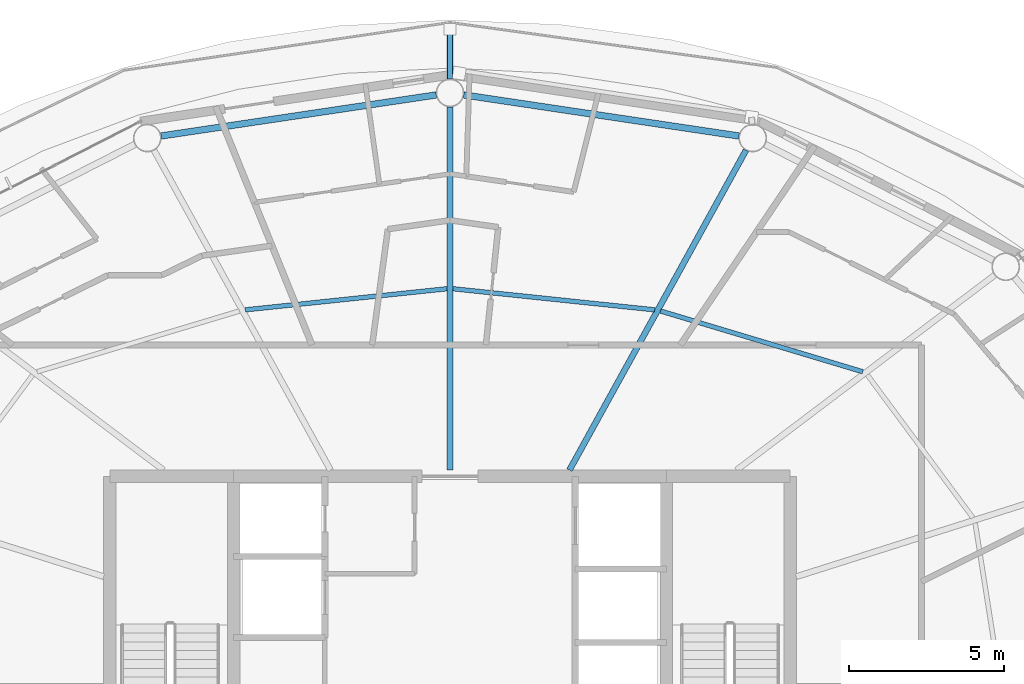
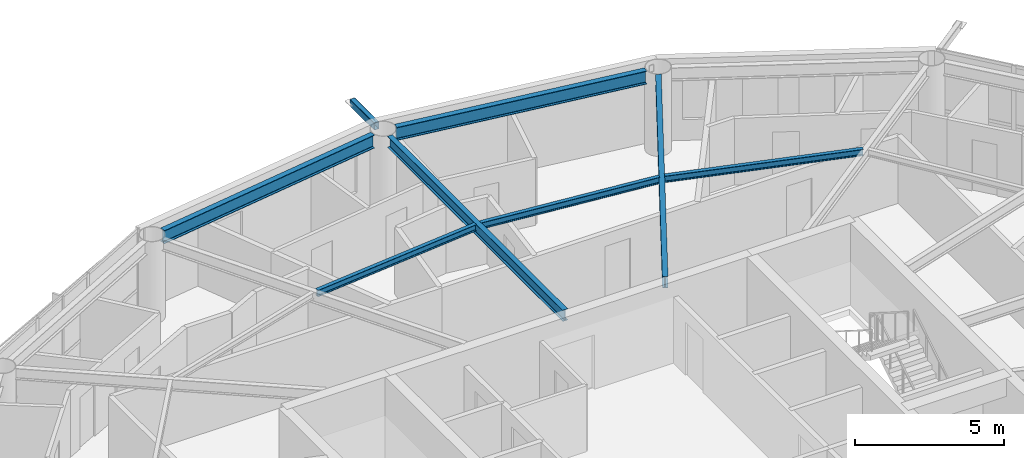
# One storey, part 10 of 23: 7 beams, 1 member.
"""IFC4 building model written with IfcOpenShell, lengths in metres."""

from ifc_helpers import new_model, si_unit, direction, frame, origin, origin_2d, place, context, subcontext, project, spatial, hollow_rectangle, i_section, extrude, material, material_profile, profile_set, type_object, element, save


model = new_model("IFC4")

# Units and contexts
model_context = context("Model", 3, precision=1e-05, world=origin(), true_north=direction((0.0, 1.0)))
body_context = subcontext(model_context, "Body", "Model", "MODEL_VIEW")
ifc_project = project(units=[si_unit("LENGTHUNIT", "METRE"), si_unit("AREAUNIT", "SQUARE_METRE"), si_unit("VOLUMEUNIT", "CUBIC_METRE"), si_unit("PLANEANGLEUNIT", "RADIAN"), si_unit("MASSUNIT", "GRAM", prefix="KILO")], contexts=[model_context])

# Site, building, storey
site_placement = place(None, origin())
site = spatial("IfcSite", under=ifc_project, at=site_placement, CompositionType="ELEMENT")
building_placement = place(site_placement, origin())
building = spatial("IfcBuilding", under=site, at=building_placement, Name="Sarneth Arch Tower", CompositionType="ELEMENT")
storey_placement = place(building_placement, frame((0.0, 0.0, 231.60009765625)))
storey = spatial("IfcBuildingStorey", under=building, at=storey_placement, Name="L59", CompositionType="ELEMENT", Elevation=231.60009765625)

# Beams
ifc_material_1 = material(Name="Steel S355", Category="steel")
ifc_material_profile_1 = material_profile(ifc_material_1, i_section(OverallWidth=0.14794921875, OverallDepth=0.26611328125, WebThickness=0.007568359375, FlangeThickness=0.012939453125, FilletRadius=0.012939453125, at=origin_2d()), Name="W250x44.8")
ifc_profile_set_1 = profile_set([ifc_material_profile_1], Name="Steel S355")
beam_type_1 = type_object("IfcBeamType", Name="BM-JOIST-250", PredefinedType="JOIST", material=ifc_profile_set_1)
beam_1_placement = place(storey_placement, frame((61.35009765625, 52.18017578125, 3.226806640625), z_axis=(-0.957725851155, 0.287682453461, 0.0), x_axis=(-0.287682453461, -0.957725851155, 0.0)))
element("IfcBeam", 1, at=beam_1_placement, inside=storey, type_object=beam_type_1, Name="L59 Secondary floor joist 03", PredefinedType="JOIST", context=body_context, shape_type="SweptSolid", body=[
    extrude(i_section(OverallWidth=0.14794921875, OverallDepth=0.26611328125, WebThickness=0.007568359375, FlangeThickness=0.012939453125, FilletRadius=0.012939453125, at=origin_2d()), origin(), (0.0, 0.0, 1.0), 6.828125),
])
for number, where, z_axis, x_axis, name in (
    (2, (54.623046875, 54.18212890625, 3.226806640625), (-0.994572713015, 0.104043829835, 0.0), (-0.104043829835, -0.994572713015, 0.0), "L59 Secondary floor joist 04"),
    (3, (47.904541015625, 54.864990234375, 3.226806640625), (-0.994572713015, -0.104043829835, 0.0), (0.104043829835, -0.994572713015, 0.0), "L59 Secondary floor joist 05"),
):
    element("IfcBeam", number, at=place(storey_placement, frame(where, z_axis=z_axis, x_axis=x_axis)), inside=storey, type_object=beam_type_1, Name=name, PredefinedType="JOIST", context=body_context, shape_type="SweptSolid", body=[
        extrude(i_section(OverallWidth=0.14794921875, OverallDepth=0.26611328125, WebThickness=0.007568359375, FlangeThickness=0.012939453125, FilletRadius=0.012939453125, at=origin_2d()), origin(), (0.0, 0.0, 1.0), 6.563232421875),
    ])
ifc_material_2 = material(Name="Steel S355", Category="steel")
ifc_material_profile_2 = material_profile(ifc_material_2, i_section(OverallWidth=0.19189453125, OverallDepth=0.462890625, WebThickness=0.010498046875, FlangeThickness=0.017578125, FilletRadius=0.01806640625, at=origin_2d()), Name="W460x89")
ifc_profile_set_2 = profile_set([ifc_material_profile_2], Name="Steel S355")
beam_type_2 = type_object("IfcBeamType", Name="BM-RAD-460B", PredefinedType="BEAM", material=ifc_profile_set_2)
beam_2_placement = place(storey_placement, frame((51.86376953125, 49.0, 3.12841796875), z_axis=(0.483218265038, 0.875499919094, 0.0), x_axis=(-0.875499919094, 0.483218265038, 0.0)))
element("IfcBeam", 4, at=beam_2_placement, inside=storey, type_object=beam_type_2, Name="L59 Radial floor girder 04", PredefinedType="BEAM", context=body_context, shape_type="SweptSolid", body=[
    extrude(i_section(OverallWidth=0.19189453125, OverallDepth=0.462890625, WebThickness=0.010498046875, FlangeThickness=0.017578125, FilletRadius=0.01806640625, at=origin_2d()), origin(), (0.0, 0.0, 1.0), 11.8154296875),
])
beam_3_placement = place(storey_placement, frame((48.0, 49.0, 3.12841796875), z_axis=(0.0, 1.0, 0.0), x_axis=(-1.0, 0.0, 0.0)))
element("IfcBeam", 5, at=beam_3_placement, inside=storey, type_object=beam_type_2, Name="L59 Radial floor girder 05", PredefinedType="BEAM", context=body_context, shape_type="SweptSolid", body=[
    extrude(i_section(OverallWidth=0.19189453125, OverallDepth=0.462890625, WebThickness=0.010498046875, FlangeThickness=0.017578125, FilletRadius=0.01806640625, at=origin_2d()), origin(), (0.0, 0.0, 1.0), 11.75),
])
ifc_material_3 = material(Name="Steel S355", Category="steel")
ifc_material_profile_3 = material_profile(ifc_material_3, i_section(OverallWidth=0.2109375, OverallDepth=0.5390625, WebThickness=0.01171875, FlangeThickness=0.018798828125, FilletRadius=0.01806640625, at=origin_2d()), Name="W530x109")
ifc_profile_set_3 = profile_set([ifc_material_profile_3], Name="Steel S355")
beam_type_3 = type_object("IfcBeamType", Name="BM-RAD-530B", PredefinedType="BEAM", material=ifc_profile_set_3)
for number, where, z_axis, x_axis, name in (
    (6, (57.345703125, 59.804931640625, 3.09033203125), (-0.989041765772, 0.147635990052, 0.0), (-0.147635990052, -0.989041765772, 0.0), "L59 Perimeter spandrel beam 04"),
    (7, (47.554931640625, 61.133544921875, 3.09033203125), (-0.989041765772, -0.147635990052, 0.0), (0.147635990052, -0.989041765772, 0.0), "L59 Perimeter spandrel beam 05"),
):
    element("IfcBeam", number, at=place(storey_placement, frame(where, z_axis=z_axis, x_axis=x_axis)), inside=storey, type_object=beam_type_3, Name=name, PredefinedType="BEAM", context=body_context, shape_type="SweptSolid", body=[
        extrude(i_section(OverallWidth=0.2109375, OverallDepth=0.5390625, WebThickness=0.01171875, FlangeThickness=0.018798828125, FilletRadius=0.01806640625, at=origin_2d()), origin(), (0.0, 0.0, 1.0), 8.999267578125),
    ])

# Member
ifc_material_4 = material(Name="Steel S355", Category="steel")
ifc_material_profile_4 = material_profile(ifc_material_4, hollow_rectangle(XDim=0.199951171875, YDim=0.300048828125, WallThickness=0.012451171875, InnerFilletRadius=0.018798828125, OuterFilletRadius=0.03125, at=origin_2d()), Name="RHS300x200x12.5")
ifc_profile_set_4 = profile_set([ifc_material_profile_4], Name="Steel S355")
member_type = type_object("IfcMemberType", Name="MEM-CANT-STRUT", PredefinedType="STRUT", material=ifc_profile_set_4)
member_placement = place(storey_placement, frame((48.0, 61.64990234375, 3.199951171875), z_axis=(0.0, 1.0, 0.0), x_axis=(-1.0, 0.0, 0.0)))
element("IfcMember", 8, at=member_placement, inside=storey, type_object=member_type, Name="L59 Balcony cantilever bracket 05", PredefinedType="STRUT", context=body_context, shape_type="SweptSolid", body=[
    extrude(hollow_rectangle(XDim=0.199951171875, YDim=0.300048828125, WallThickness=0.012451171875, InnerFilletRadius=0.018798828125, OuterFilletRadius=0.03125, at=origin_2d()), origin(), (0.0, 0.0, 1.0), 1.604248046875),
])

save(model, "model.ifc")
